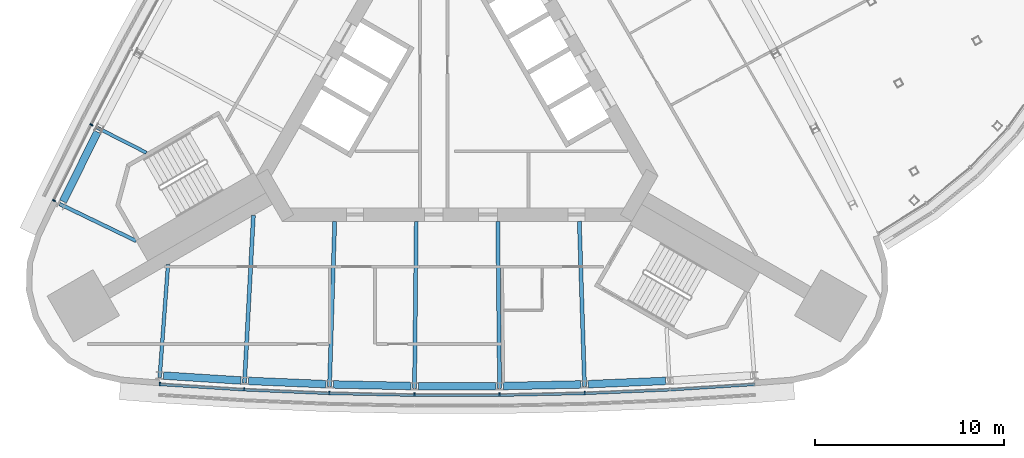
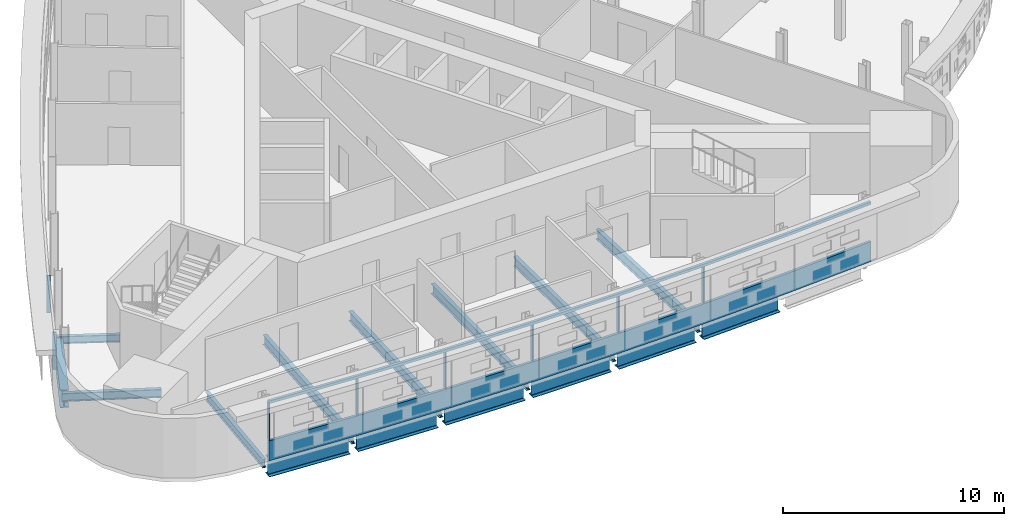
# One storey, part 4 of 15: 15 beams, 10 members, 2 elements without a shape of their own.
"""IFC4 building model written with IfcOpenShell, lengths in metres."""

from ifc_helpers import new_model, si_unit, direction, frame, origin, origin_2d, place, context, subcontext, project, spatial, polyline, rectangle, i_section, outline, extrude, material, material_profile, profile_set, type_object, element, aggregate, save


model = new_model("IFC4")

# Units and contexts
model_context = context("Model", 3, precision=1e-05, world=origin(), true_north=direction((0.0, 1.0)))
body_context = subcontext(model_context, "Body", "Model", "MODEL_VIEW")
ifc_project = project(units=[si_unit("LENGTHUNIT", "METRE"), si_unit("AREAUNIT", "SQUARE_METRE"), si_unit("VOLUMEUNIT", "CUBIC_METRE"), si_unit("PLANEANGLEUNIT", "RADIAN"), si_unit("MASSUNIT", "GRAM", prefix="KILO")], contexts=[model_context])

# Site, building, storey
site_placement = place(None, origin())
site = spatial("IfcSite", under=ifc_project, at=site_placement, CompositionType="ELEMENT")
building_placement = place(site_placement, origin())
building = spatial("IfcBuilding", under=site, at=building_placement, Name="Noor Cloister Tower", CompositionType="ELEMENT")
storey_placement = place(building_placement, frame((0.0, 0.0, 174.300048828125)))
storey = spatial("IfcBuildingStorey", under=building, at=storey_placement, Name="L44", CompositionType="ELEMENT", Elevation=174.300048828125)

# Beams
ifc_material_1 = material(Name="Steel ASTM A992 Gr 50", Category="steel")
ifc_material_profile_1 = material_profile(ifc_material_1, i_section(OverallWidth=0.40087890625, OverallDepth=0.98291015625, WebThickness=0.0166015625, FlangeThickness=0.027099609375, FilletRadius=0.030029296875, at=origin_2d()), Name="W1000x296")
ifc_profile_set_1 = profile_set([ifc_material_profile_1], Name="Steel ASTM A992 Gr 50")
beam_type_1 = type_object("IfcBeamType", Name="Belt chord girder W1000x296", PredefinedType="BEAM", material=ifc_profile_set_1)
for number, where, z_axis, x_axis, name in (
    (1, (-18.987060546875, -2.215576171875, -0.691650390625), (-0.444014503497, -0.896019598382, 0.0), (0.896019598382, -0.444014503497, 0.0), "Spandrel beam NW 07 L44"),
    (2, (-15.498291015625, -15.07568359375, -0.691650390625), (0.99798140433, -0.063506823352, 0.0), (0.063506823352, 0.99798140433, 0.0), "Spandrel beam S 01 L44"),
    (3, (-11.018798828125, -15.3564453125, -0.691650390625), (0.999103369662, -0.042337415247, 0.0), (0.042337415247, 0.999103369662, 0.0), "Spandrel beam S 02 L44"),
    (4, (-6.534423828125, -15.54248046875, -0.691650390625), (0.999775910356, -0.021169059297, 0.0), (0.021169059297, 0.999775910356, 0.0), "Spandrel beam S 03 L44"),
    (5, (-2.047119140625, -15.63330078125, -0.691650390625), (1.0, 0.0, 0.0), (0.0, 1.0, 0.0), "Spandrel beam S 04 L44"),
    (6, (2.441162109375, -15.629150390625, -0.691650390625), (0.999775910356, 0.021169059297, 0.0), (-0.021169059297, 0.999775910356, 0.0), "Spandrel beam S 05 L44"),
    (7, (6.92822265625, -15.52978515625, -0.691650390625), (0.999103369662, 0.042337415247, 0.0), (-0.042337415247, 0.999103369662, 0.0), "Spandrel beam S 06 L44"),
):
    element("IfcBeam", number, at=place(storey_placement, frame(where, z_axis=z_axis, x_axis=x_axis)), inside=storey, type_object=beam_type_1, Name=name, PredefinedType="BEAM", context=body_context, shape_type="SweptSolid", body=[
        extrude(i_section(OverallWidth=0.40087890625, OverallDepth=0.98291015625, WebThickness=0.0166015625, FlangeThickness=0.027099609375, FilletRadius=0.030029296875, at=origin_2d()), origin(), (0.0, 0.0, 1.0), 4.09423828125),
    ])

# Curtain wall, member
ifc_material_2 = material(Name="Aluminium 6063-T6 anodised", Category="aluminium")
curtain_wall_type = type_object("IfcCurtainWallType", Name="Ribbon curtain wall, upper tower CW5", PredefinedType="NOTDEFINED", material=ifc_material_2)
curtain_wall_1_placement = place(storey_placement, origin())
curtain_wall_1 = element("IfcCurtainWall", 8, at=curtain_wall_1_placement, inside=storey, type_object=curtain_wall_type, Name="CW5 L44 S run 2", PredefinedType="NOTDEFINED")
ifc_material_3 = material(Name="Aluminium 6063-T6 anodised", Category="aluminium")
member_type_1 = type_object("IfcMemberType", Name="Head transom CW5 150", PredefinedType="USERDEFINED", material=ifc_material_3)
member_1_placement = place(storey_placement, frame((0.0, 0.0, 3.14990234375)))
member_1 = element("IfcMember", 9, at=member_1_placement, type_object=member_type_1, Name="CW5 head transom", ObjectType="TRANSOM", PredefinedType="USERDEFINED", context=body_context, shape_type="SweptSolid", body=[
    extrude(outline(polyline([(-15.735595703125, -15.611572265625), (-11.24462890625, -15.8974609375), (-6.748779296875, -16.087890625), (-2.25, -16.183349609375), (2.25, -16.183349609375), (6.748779296875, -16.087890625), (11.24462890625, -15.8974609375), (15.735595703125, -15.611572265625), (15.726806640625, -15.471923828125), (11.2373046875, -15.757568359375), (6.744384765625, -15.947998046875), (2.24853515625, -16.043212890625), (-2.24853515625, -16.043212890625), (-6.744384765625, -15.947998046875), (-11.2373046875, -15.757568359375), (-15.726806640625, -15.471923828125), (-15.735595703125, -15.611572265625)])), origin(), (0.0, 0.0, 1.0), 0.150146484375),
])

# Curtain wall, members
curtain_wall_2_placement = place(storey_placement, origin())
curtain_wall_2 = element("IfcCurtainWall", 10, at=curtain_wall_2_placement, inside=storey, type_object=curtain_wall_type, Name="CW5 L44 NW run 1", PredefinedType="NOTDEFINED")
ifc_material_4 = material(Name="Aluminium 6063-T6 anodised", Category="aluminium")
ifc_material_profile_2 = material_profile(ifc_material_4, rectangle(XDim=0.179931640625, YDim=0.070068359375, at=origin_2d()), Name="180 x 70 mullion")
ifc_profile_set_2 = profile_set([ifc_material_profile_2], Name="Aluminium 6063-T6 anodised")
member_type_2 = type_object("IfcMemberType", Name="Mullion CW5 70 x 180", PredefinedType="MULLION", material=ifc_profile_set_2)
member_2_placement = place(storey_placement, frame((-19.30078125, -1.8349609375, 1.099853515625), z_axis=(0.0, 0.0, 1.0), x_axis=(0.891276079341, -0.45346107925, 0.0)))
member_2 = element("IfcMember", 11, at=member_2_placement, type_object=member_type_2, Name="CW5 mullion 7", PredefinedType="MULLION", context=body_context, shape_type="SweptSolid", body=[
    extrude(rectangle(XDim=0.179931640625, YDim=0.070068359375, at=origin_2d()), origin(), (0.0, 0.0, 1.0), 2.050048828125),
])
member_3_placement = place(storey_placement, frame((-21.28271484375, -5.834716796875, 1.099853515625), z_axis=(0.0, 0.0, 1.0), x_axis=(0.89602851952, -0.44399650022, 0.0)))
member_3 = element("IfcMember", 12, at=member_3_placement, type_object=member_type_2, Name="CW5 mullion 8", PredefinedType="MULLION", context=body_context, shape_type="SweptSolid", body=[
    extrude(rectangle(XDim=0.179931640625, YDim=0.070068359375, at=origin_2d()), origin(), (0.0, 0.0, 1.0), 2.050048828125),
])
aggregate(curtain_wall_2, [member_2, member_3])

# Member
member_4_placement = place(storey_placement, frame((-15.6943359375, -15.51416015625, 1.099853515625), z_axis=(0.0, 0.0, 1.0), x_axis=(0.063502011378, 0.997981710529, 0.0)))
member_4 = element("IfcMember", 13, at=member_4_placement, type_object=member_type_2, Name="CW5 mullion 1", PredefinedType="MULLION", context=body_context, shape_type="SweptSolid", body=[
    extrude(rectangle(XDim=0.179931640625, YDim=0.070068359375, at=origin_2d()), origin(), (0.0, 0.0, 1.0), 2.050048828125),
])

member_5_placement = place(storey_placement, frame((-11.239501953125, -15.797607421875, 1.099853515625), z_axis=(0.0, 0.0, 1.0), x_axis=(0.052929225413, 0.99859826612, 0.0)))
member_5 = element("IfcMember", 14, at=member_5_placement, type_object=member_type_2, Name="CW5 mullion 2", PredefinedType="MULLION", context=body_context, shape_type="SweptSolid", body=[
    extrude(rectangle(XDim=0.179931640625, YDim=0.070068359375, at=origin_2d()), origin(), (0.0, 0.0, 1.0), 2.050048828125),
])

member_6_placement = place(storey_placement, frame((-6.74560546875, -15.988037109375, 1.099853515625), z_axis=(0.0, 0.0, 1.0), x_axis=(0.031767047227, 0.999495299994, 0.0)))
member_6 = element("IfcMember", 15, at=member_6_placement, type_object=member_type_2, Name="CW5 mullion 3", PredefinedType="MULLION", context=body_context, shape_type="SweptSolid", body=[
    extrude(rectangle(XDim=0.179931640625, YDim=0.070068359375, at=origin_2d()), origin(), (0.0, 0.0, 1.0), 2.050048828125),
])

member_7_placement = place(storey_placement, frame((-2.248779296875, -16.083251953125, 1.099853515625), z_axis=(0.0, 0.0, 1.0), x_axis=(0.010590599542, 0.999943918028, 0.0)))
member_7 = element("IfcMember", 16, at=member_7_placement, type_object=member_type_2, Name="CW5 mullion 4", PredefinedType="MULLION", context=body_context, shape_type="SweptSolid", body=[
    extrude(rectangle(XDim=0.179931640625, YDim=0.070068359375, at=origin_2d()), origin(), (0.0, 0.0, 1.0), 2.050048828125),
])

member_8_placement = place(storey_placement, frame((2.248779296875, -16.083251953125, 1.099853515625), z_axis=(0.0, 0.0, 1.0), x_axis=(-0.010590599542, 0.999943918028, 0.0)))
member_8 = element("IfcMember", 17, at=member_8_placement, type_object=member_type_2, Name="CW5 mullion 5", PredefinedType="MULLION", context=body_context, shape_type="SweptSolid", body=[
    extrude(rectangle(XDim=0.179931640625, YDim=0.070068359375, at=origin_2d()), origin(), (0.0, 0.0, 1.0), 2.050048828125),
])

member_9_placement = place(storey_placement, frame((6.74560546875, -15.988037109375, 1.099853515625), z_axis=(0.0, 0.0, 1.0), x_axis=(-0.031767047227, 0.999495299994, 0.0)))
member_9 = element("IfcMember", 18, at=member_9_placement, type_object=member_type_2, Name="CW5 mullion 6", PredefinedType="MULLION", context=body_context, shape_type="SweptSolid", body=[
    extrude(rectangle(XDim=0.179931640625, YDim=0.070068359375, at=origin_2d()), origin(), (0.0, 0.0, 1.0), 2.050048828125),
])

# Beams
ifc_material_5 = material(Name="Steel ASTM A992 Gr 50", Category="steel")
ifc_material_profile_3 = material_profile(ifc_material_5, i_section(OverallWidth=0.177978515625, OverallDepth=0.406005859375, WebThickness=0.0078125, FlangeThickness=0.0126953125, FilletRadius=0.01025390625, at=origin_2d()), Name="W410x60")
ifc_profile_set_3 = profile_set([ifc_material_profile_3], Name="Steel ASTM A992 Gr 50")
beam_type_2 = type_object("IfcBeamType", Name="Radial beam W410x60", PredefinedType="BEAM", material=ifc_profile_set_3)
beam_1_placement = place(storey_placement, frame((-18.99951171875, -1.988037109375, -0.403076171875), z_axis=(0.891237027529, -0.453537827267, 0.0), x_axis=(0.453537827267, 0.891237027529, 0.0)))
element("IfcBeam", 19, at=beam_1_placement, inside=storey, type_object=beam_type_2, Name="Radial beam NW 07 L44", PredefinedType="BEAM", context=body_context, shape_type="SweptSolid", body=[
    extrude(i_section(OverallWidth=0.177978515625, OverallDepth=0.406005859375, WebThickness=0.0078125, FlangeThickness=0.0126953125, FilletRadius=0.01025390625, at=origin_2d()), origin(), (0.0, 0.0, 1.0), 2.913330078125),
])
ifc_material_6 = material(Name="Steel ASTM A992 Gr 50", Category="steel")
ifc_material_profile_4 = material_profile(ifc_material_6, i_section(OverallWidth=0.19091796875, OverallDepth=0.45703125, WebThickness=0.009033203125, FlangeThickness=0.014404296875, FilletRadius=0.01025390625, at=origin_2d()), Name="W460x74")
ifc_profile_set_4 = profile_set([ifc_material_profile_4], Name="Steel ASTM A992 Gr 50")
beam_type_3 = type_object("IfcBeamType", Name="Radial beam W460x74", PredefinedType="BEAM", material=ifc_profile_set_4)
beam_2_placement = place(storey_placement, frame((-20.993408203125, -6.011962890625, -0.428466796875), z_axis=(0.900690144497, -0.434462039315, 0.0), x_axis=(0.434462039315, 0.900690144497, 0.0)))
element("IfcBeam", 20, at=beam_2_placement, inside=storey, type_object=beam_type_3, Name="Radial beam NW 08 L44", PredefinedType="BEAM", context=body_context, shape_type="SweptSolid", body=[
    extrude(i_section(OverallWidth=0.19091796875, OverallDepth=0.45703125, WebThickness=0.009033203125, FlangeThickness=0.014404296875, FilletRadius=0.01025390625, at=origin_2d()), origin(), (0.0, 0.0, 1.0), 4.49609375),
])
beam_3_placement = place(storey_placement, frame((-15.703125, -15.1748046875, -0.428466796875), z_axis=(0.074062786388, 0.997253580426, 0.0), x_axis=(-0.997253580426, 0.074062786388, 0.0)))
element("IfcBeam", 21, at=beam_3_placement, inside=storey, type_object=beam_type_3, Name="Radial beam S 01 L44", PredefinedType="BEAM", context=body_context, shape_type="SweptSolid", body=[
    extrude(i_section(OverallWidth=0.19091796875, OverallDepth=0.45703125, WebThickness=0.009033203125, FlangeThickness=0.014404296875, FilletRadius=0.01025390625, at=origin_2d()), origin(), (0.0, 0.0, 1.0), 5.976318359375),
])
ifc_material_7 = material(Name="Steel ASTM A992 Gr 50", Category="steel")
ifc_material_profile_5 = material_profile(ifc_material_7, i_section(OverallWidth=0.208984375, OverallDepth=0.532958984375, WebThickness=0.01025390625, FlangeThickness=0.015625, FilletRadius=0.0126953125, at=origin_2d()), Name="W530x92")
ifc_profile_set_5 = profile_set([ifc_material_profile_5], Name="Steel ASTM A992 Gr 50")
beam_type_4 = type_object("IfcBeamType", Name="Radial beam W530x92", PredefinedType="BEAM", material=ifc_profile_set_5)
beam_4_placement = place(storey_placement, frame((-11.2216796875, -15.4599609375, -0.466552734375), z_axis=(0.052931955279, 0.998598121423, 0.0), x_axis=(-0.998598121423, 0.052931955279, 0.0)))
element("IfcBeam", 22, at=beam_4_placement, inside=storey, type_object=beam_type_4, Name="Radial beam S 02 L44", PredefinedType="BEAM", context=body_context, shape_type="SweptSolid", body=[
    extrude(i_section(OverallWidth=0.208984375, OverallDepth=0.532958984375, WebThickness=0.01025390625, FlangeThickness=0.015625, FilletRadius=0.0126953125, at=origin_2d()), origin(), (0.0, 0.0, 1.0), 8.8603515625),
])
beam_5_placement = place(storey_placement, frame((-6.73486328125, -15.650146484375, -0.466552734375), z_axis=(0.031754447024, 0.999495700388, 0.0), x_axis=(-0.999495700388, 0.031754447024, 0.0)))
element("IfcBeam", 23, at=beam_5_placement, inside=storey, type_object=beam_type_4, Name="Radial beam S 03 L44", PredefinedType="BEAM", context=body_context, shape_type="SweptSolid", body=[
    extrude(i_section(OverallWidth=0.208984375, OverallDepth=0.532958984375, WebThickness=0.01025390625, FlangeThickness=0.015625, FilletRadius=0.0126953125, at=origin_2d()), origin(), (0.0, 0.0, 1.0), 8.726318359375),
])
for number, where, z_axis, x_axis, name in (
    (24, (-2.245361328125, -15.745361328125, -0.466552734375), (0.010604415465, 0.999943771606, 0.0), (-0.999943771606, 0.010604415465, 0.0), "Radial beam S 04 L44"),
    (25, (2.245361328125, -15.745361328125, -0.466552734375), (-0.010604415465, 0.999943771606, 0.0), (-0.999943771606, -0.010604415465, 0.0), "Radial beam S 05 L44"),
):
    element("IfcBeam", number, at=place(storey_placement, frame(where, z_axis=z_axis, x_axis=x_axis)), inside=storey, type_object=beam_type_4, Name=name, PredefinedType="BEAM", context=body_context, shape_type="SweptSolid", body=[
        extrude(i_section(OverallWidth=0.208984375, OverallDepth=0.532958984375, WebThickness=0.01025390625, FlangeThickness=0.015625, FilletRadius=0.0126953125, at=origin_2d()), origin(), (0.0, 0.0, 1.0), 8.817626953125),
    ])
beam_6_placement = place(storey_placement, frame((6.73486328125, -15.650146484375, -0.466552734375), z_axis=(-0.031754447024, 0.999495700388, 0.0), x_axis=(-0.999495700388, -0.031754447024, 0.0)))
element("IfcBeam", 26, at=beam_6_placement, inside=storey, type_object=beam_type_4, Name="Radial beam S 06 L44", PredefinedType="BEAM", context=body_context, shape_type="SweptSolid", body=[
    extrude(i_section(OverallWidth=0.208984375, OverallDepth=0.532958984375, WebThickness=0.01025390625, FlangeThickness=0.015625, FilletRadius=0.0126953125, at=origin_2d()), origin(), (0.0, 0.0, 1.0), 8.726318359375),
])

# Member
ifc_material_8 = material(Name="Aluminium 6063-T6 anodised", Category="aluminium")
member_type_3 = type_object("IfcMemberType", Name="Sill transom CW5 1100", PredefinedType="USERDEFINED", material=ifc_material_8)
member_10_placement = place(storey_placement, origin())
member_10 = element("IfcMember", 27, at=member_10_placement, type_object=member_type_3, Name="CW5 sill transom", ObjectType="TRANSOM", PredefinedType="USERDEFINED", context=body_context, shape_type="SweptSolid", body=[
    extrude(outline(polyline([(-15.735595703125, -15.611572265625), (-11.24462890625, -15.8974609375), (-6.748779296875, -16.087890625), (-2.25, -16.183349609375), (2.25, -16.183349609375), (6.748779296875, -16.087890625), (11.24462890625, -15.8974609375), (15.735595703125, -15.611572265625), (15.726806640625, -15.471923828125), (11.2373046875, -15.757568359375), (6.744384765625, -15.947998046875), (2.24853515625, -16.043212890625), (-2.24853515625, -16.043212890625), (-6.744384765625, -15.947998046875), (-11.2373046875, -15.757568359375), (-15.726806640625, -15.471923828125), (-15.735595703125, -15.611572265625)])), origin(), (0.0, 0.0, 1.0), 1.099853515625),
])

aggregate(curtain_wall_1, [member_4, member_5, member_6, member_7, member_8, member_9, member_10, member_1])

save(model, "model.ifc")
